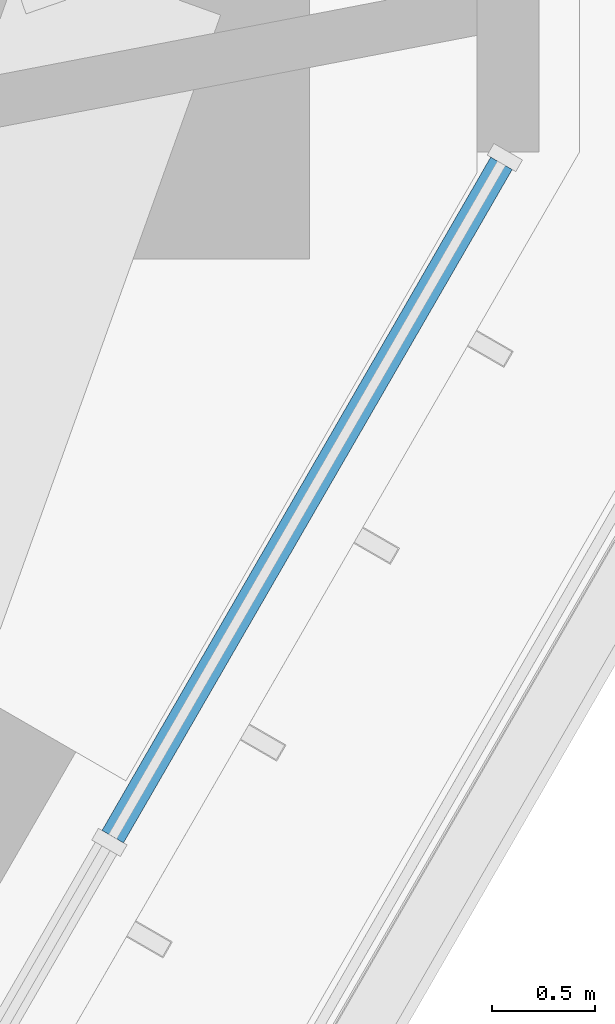
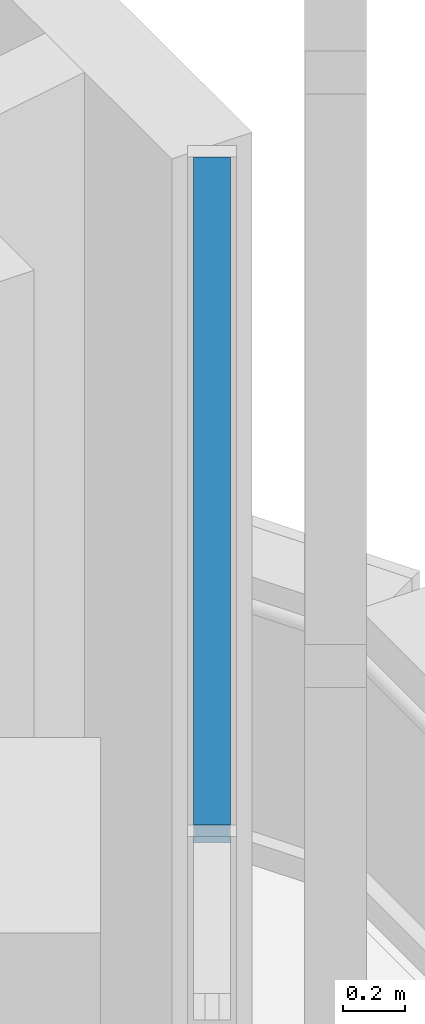
# One storey, part 126 of 228: 1 member, 1 element without a shape of its own.
"""IFC4 building model written with IfcOpenShell, lengths in metres."""

from ifc_helpers import new_model, si_unit, direction, frame, origin, origin_2d, place, context, subcontext, project, spatial, rectangle, extrude, material, material_profile, profile_set, type_object, element, aggregate, save


model = new_model("IFC4")

# Units and contexts
model_context = context("Model", 3, precision=1e-05, world=origin(), true_north=direction((0.0, 1.0)))
body_context = subcontext(model_context, "Body", "Model", "MODEL_VIEW")
ifc_project = project(units=[si_unit("LENGTHUNIT", "METRE"), si_unit("AREAUNIT", "SQUARE_METRE"), si_unit("VOLUMEUNIT", "CUBIC_METRE"), si_unit("PLANEANGLEUNIT", "RADIAN"), si_unit("MASSUNIT", "GRAM", prefix="KILO")], contexts=[model_context])

# Site, building, storey
site_placement = place(None, origin())
site = spatial("IfcSite", under=ifc_project, at=site_placement, CompositionType="ELEMENT")
building_placement = place(site_placement, origin())
building = spatial("IfcBuilding", under=site, at=building_placement, Name="Sandreach Pilgrim Tower", CompositionType="ELEMENT")
storey_placement = place(building_placement, frame((0.0, 0.0, 178.199951171875)))
storey = spatial("IfcBuildingStorey", under=building, at=storey_placement, Name="L44", CompositionType="ELEMENT", Elevation=178.199951171875)

# Curtain wall, member
ifc_material_1 = material(Name="Aluminium framed curtain wall", Category="aluminium")
curtain_wall_type = type_object("IfcCurtainWallType", Name="Upper hotel tower curtain wall", PredefinedType="NOTDEFINED", material=ifc_material_1)
curtain_wall_placement = place(storey_placement, origin())
curtain_wall = element("IfcCurtainWall", 1, at=curtain_wall_placement, inside=storey, type_object=curtain_wall_type, Name="CW-3 L44 SE", PredefinedType="NOTDEFINED")
ifc_material_2 = material(Name="Aluminium extrusion", Category="aluminium")
ifc_material_profile = material_profile(ifc_material_2, rectangle(XDim=0.1201171875, YDim=0.070068359375, at=origin_2d()), Name="CW-3T 120X70")
ifc_profile_set = profile_set([ifc_material_profile], Name="Aluminium extrusion")
member_type = type_object("IfcMemberType", Name="CW-3 transom", PredefinedType="USERDEFINED", material=ifc_profile_set)
member_placement = place(storey_placement, frame((26.987548828125, 4.423828125, 4.804931640625), z_axis=(-0.499944992379, -0.86605716012, 0.0), x_axis=(0.86605716012, -0.499944992379, 0.0)))
member = element("IfcMember", 2, at=member_placement, type_object=member_type, Name="CW-3 head transom 1", ObjectType="TRANSOM", PredefinedType="USERDEFINED", context=body_context, shape_type="SweptSolid", body=[
    extrude(rectangle(XDim=0.1201171875, YDim=0.070068359375, at=origin_2d()), origin(), (0.0, 0.0, 1.0), 3.76708984375),
])
aggregate(curtain_wall, [member])

save(model, "model.ifc")
